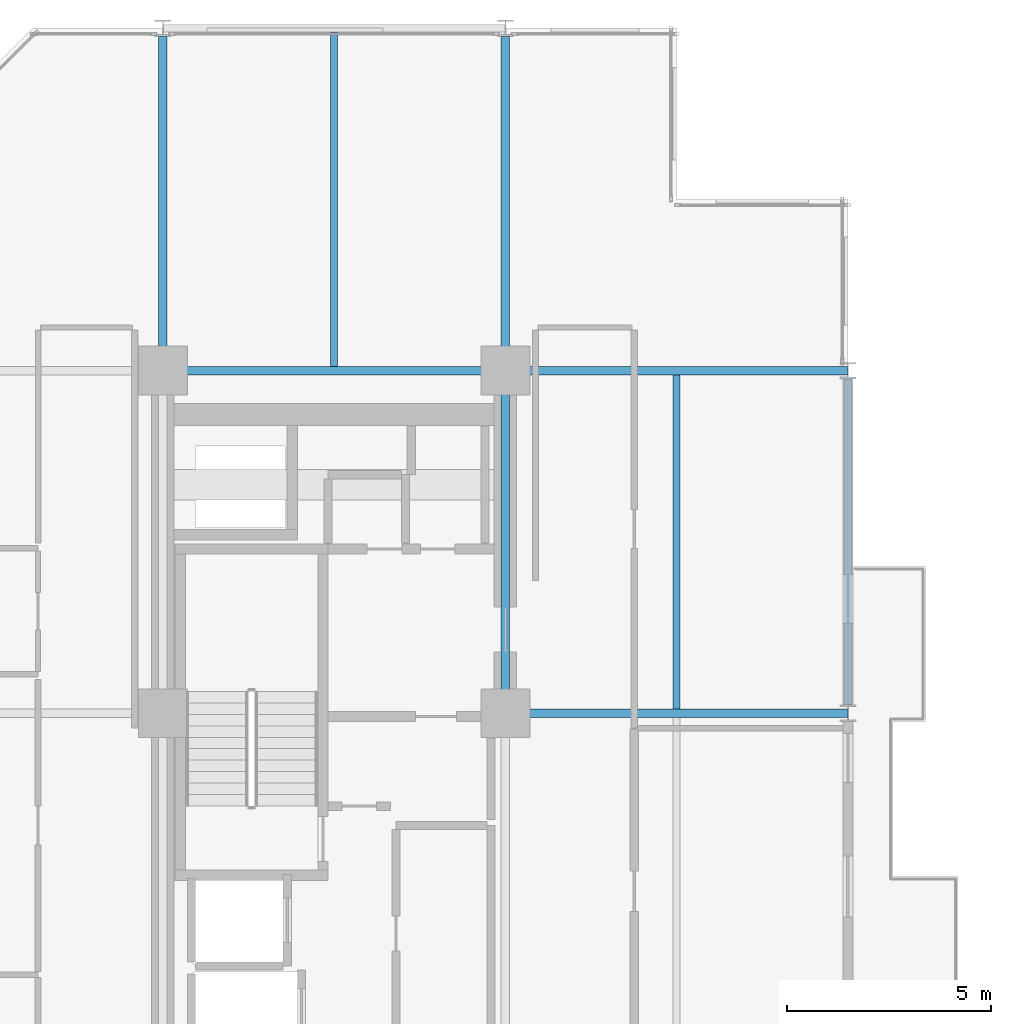
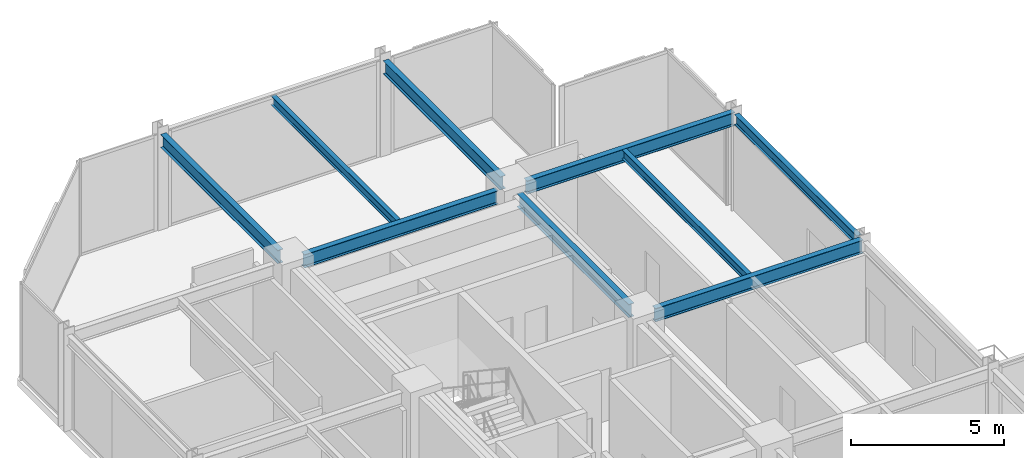
# One storey, part 19 of 29: 9 beams.
"""IFC4 building model written with IfcOpenShell, lengths in metres."""

from ifc_helpers import new_model, si_unit, direction, frame, origin, origin_2d, place, context, subcontext, project, spatial, i_section, extrude, material, material_profile, profile_set, type_object, element, save


model = new_model("IFC4")

# Units and contexts
model_context = context("Model", 3, precision=1e-05, world=origin(), true_north=direction((0.0, 1.0)))
body_context = subcontext(model_context, "Body", "Model", "MODEL_VIEW")
ifc_project = project(units=[si_unit("LENGTHUNIT", "METRE"), si_unit("AREAUNIT", "SQUARE_METRE"), si_unit("VOLUMEUNIT", "CUBIC_METRE"), si_unit("PLANEANGLEUNIT", "RADIAN"), si_unit("MASSUNIT", "GRAM", prefix="KILO")], contexts=[model_context])

# Site, building, storey
site_placement = place(None, origin())
site = spatial("IfcSite", under=ifc_project, at=site_placement, CompositionType="ELEMENT")
building_placement = place(site_placement, origin())
building = spatial("IfcBuilding", under=site, at=building_placement, Name="Nerrivon Quay Data Exchange", CompositionType="ELEMENT")
storey_placement = place(building_placement, frame((0.0, 0.0, 137.699951171875)))
storey = spatial("IfcBuildingStorey", under=building, at=storey_placement, Name="L32", CompositionType="ELEMENT", Elevation=137.699951171875)

# Beams
ifc_material = material(Name="Steel Grade 350", Category="steel")
ifc_material_profile_1 = material_profile(ifc_material, i_section(OverallWidth=0.208984375, OverallDepth=0.532958984375, WebThickness=0.01025390625, FlangeThickness=0.015625, FilletRadius=0.013916015625, at=origin_2d()), Name="530UB92.4")
ifc_profile_set_1 = profile_set([ifc_material_profile_1], Name="Steel Grade 350")
beam_type_1 = type_object("IfcBeamType", Name="BM-G3-530UB92", PredefinedType="BEAM", material=ifc_profile_set_1)
beam_1_placement = place(storey_placement, frame((17.340087890625, 33.60009765625, 3.55859375), z_axis=(1.0, 0.0, 0.0), x_axis=(0.0, 1.0, 0.0)))
element("IfcBeam", 1, at=beam_1_placement, inside=storey, type_object=beam_type_1, Name="L32 EW Girder Y=33.6 (16.8..25.2)", PredefinedType="BEAM", context=body_context, shape_type="SweptSolid", body=[
    extrude(i_section(OverallWidth=0.208984375, OverallDepth=0.532958984375, WebThickness=0.01025390625, FlangeThickness=0.015625, FilletRadius=0.013916015625, at=origin_2d()), origin(), (0.0, 0.0, 1.0), 7.847412109375),
])
beam_2_placement = place(storey_placement, frame((8.93994140625, 42.0, 3.55859375), z_axis=(1.0, 0.0, 0.0), x_axis=(0.0, 1.0, 0.0)))
element("IfcBeam", 2, at=beam_2_placement, inside=storey, type_object=beam_type_1, Name="L32 EW Girder Y=42.0 (8.4..16.8)", PredefinedType="BEAM", context=body_context, shape_type="SweptSolid", body=[
    extrude(i_section(OverallWidth=0.208984375, OverallDepth=0.532958984375, WebThickness=0.01025390625, FlangeThickness=0.015625, FilletRadius=0.013916015625, at=origin_2d()), origin(), (0.0, 0.0, 1.0), 7.320068359375),
])
beam_3_placement = place(storey_placement, frame((17.340087890625, 42.0, 3.55859375), z_axis=(1.0, 0.0, 0.0), x_axis=(0.0, 1.0, 0.0)))
element("IfcBeam", 3, at=beam_3_placement, inside=storey, type_object=beam_type_1, Name="L32 EW Girder Y=42.0 (16.8..25.2)", PredefinedType="BEAM", context=body_context, shape_type="SweptSolid", body=[
    extrude(i_section(OverallWidth=0.208984375, OverallDepth=0.532958984375, WebThickness=0.01025390625, FlangeThickness=0.015625, FilletRadius=0.013916015625, at=origin_2d()), origin(), (0.0, 0.0, 1.0), 7.847412109375),
])
ifc_material_profile_2 = material_profile(ifc_material, i_section(OverallWidth=0.208984375, OverallDepth=0.528076171875, WebThickness=0.009521484375, FlangeThickness=0.01318359375, FilletRadius=0.013916015625, at=origin_2d()), Name="530UB82.0")
ifc_profile_set_2 = profile_set([ifc_material_profile_2], Name="Steel Grade 350")
beam_type_2 = type_object("IfcBeamType", Name="BM-G4-530UB82", PredefinedType="BEAM", material=ifc_profile_set_2)
beam_4_placement = place(storey_placement, frame((8.39990234375, 42.5400390625, 3.56103515625), z_axis=(0.0, 1.0, 0.0), x_axis=(-1.0, 0.0, 0.0)))
element("IfcBeam", 4, at=beam_4_placement, inside=storey, type_object=beam_type_2, Name="L32 NS Girder X=8.4 (42.0..50.4)", PredefinedType="BEAM", context=body_context, shape_type="SweptSolid", body=[
    extrude(i_section(OverallWidth=0.208984375, OverallDepth=0.528076171875, WebThickness=0.009521484375, FlangeThickness=0.01318359375, FilletRadius=0.013916015625, at=origin_2d()), origin(), (0.0, 0.0, 1.0), 7.659912109375),
])
beam_5_placement = place(storey_placement, frame((16.800048828125, 34.139892578125, 3.56103515625), z_axis=(0.0, 1.0, 0.0), x_axis=(-1.0, 0.0, 0.0)))
element("IfcBeam", 5, at=beam_5_placement, inside=storey, type_object=beam_type_2, Name="L32 NS Girder X=16.8 (33.6..42.0)", PredefinedType="BEAM", context=body_context, shape_type="SweptSolid", body=[
    extrude(i_section(OverallWidth=0.208984375, OverallDepth=0.528076171875, WebThickness=0.009521484375, FlangeThickness=0.01318359375, FilletRadius=0.013916015625, at=origin_2d()), origin(), (0.0, 0.0, 1.0), 7.320068359375),
])
beam_6_placement = place(storey_placement, frame((16.800048828125, 42.5400390625, 3.56103515625), z_axis=(0.0, 1.0, 0.0), x_axis=(-1.0, 0.0, 0.0)))
element("IfcBeam", 6, at=beam_6_placement, inside=storey, type_object=beam_type_2, Name="L32 NS Girder X=16.8 (42.0..50.4)", PredefinedType="BEAM", context=body_context, shape_type="SweptSolid", body=[
    extrude(i_section(OverallWidth=0.208984375, OverallDepth=0.528076171875, WebThickness=0.009521484375, FlangeThickness=0.01318359375, FilletRadius=0.013916015625, at=origin_2d()), origin(), (0.0, 0.0, 1.0), 7.659912109375),
])
ifc_material_profile_3 = material_profile(ifc_material, i_section(OverallWidth=0.1708984375, OverallDepth=0.35595703125, WebThickness=0.00732421875, FlangeThickness=0.011474609375, FilletRadius=0.011474609375, at=origin_2d()), Name="360UB50.7")
ifc_profile_set_3 = profile_set([ifc_material_profile_3], Name="Steel Grade 350")
beam_type_3 = type_object("IfcBeamType", Name="BM-J4-360UB51", PredefinedType="JOIST", material=ifc_profile_set_3)
beam_7_placement = place(storey_placement, frame((12.60009765625, 42.1044921875, 3.64697265625), z_axis=(0.0, 1.0, 0.0), x_axis=(-1.0, 0.0, 0.0)))
element("IfcBeam", 7, at=beam_7_placement, inside=storey, type_object=beam_type_3, Name="L32 Secondary Joist X=12.6 (42.0..50.4)", PredefinedType="JOIST", context=body_context, shape_type="SweptSolid", body=[
    extrude(i_section(OverallWidth=0.1708984375, OverallDepth=0.35595703125, WebThickness=0.00732421875, FlangeThickness=0.011474609375, FilletRadius=0.011474609375, at=origin_2d()), origin(), (0.0, 0.0, 1.0), 8.20654296875),
])
beam_8_placement = place(storey_placement, frame((21.0, 33.70458984375, 3.64697265625), z_axis=(0.0, 1.0, 0.0), x_axis=(-1.0, 0.0, 0.0)))
element("IfcBeam", 8, at=beam_8_placement, inside=storey, type_object=beam_type_3, Name="L32 Secondary Joist X=21.0 (33.6..42.0)", PredefinedType="JOIST", context=body_context, shape_type="SweptSolid", body=[
    extrude(i_section(OverallWidth=0.1708984375, OverallDepth=0.35595703125, WebThickness=0.00732421875, FlangeThickness=0.011474609375, FilletRadius=0.011474609375, at=origin_2d()), origin(), (0.0, 0.0, 1.0), 8.19091796875),
])
ifc_material_profile_4 = material_profile(ifc_material, i_section(OverallWidth=0.177978515625, OverallDepth=0.403076171875, WebThickness=0.007568359375, FlangeThickness=0.010986328125, FilletRadius=0.011474609375, at=origin_2d()), Name="410UB53.7")
ifc_profile_set_4 = profile_set([ifc_material_profile_4], Name="Steel Grade 350")
beam_type_4 = type_object("IfcBeamType", Name="BM-SP2-410UB54", PredefinedType="SPANDREL", material=ifc_profile_set_4)
beam_9_placement = place(storey_placement, frame((25.199951171875, 33.800048828125, 3.62353515625), z_axis=(0.0, 1.0, 0.0), x_axis=(-1.0, 0.0, 0.0)))
element("IfcBeam", 9, at=beam_9_placement, inside=storey, type_object=beam_type_4, Name="L32 NS Girder X=25.2 (33.6..42.0)", PredefinedType="SPANDREL", context=body_context, shape_type="SweptSolid", body=[
    extrude(i_section(OverallWidth=0.177978515625, OverallDepth=0.403076171875, WebThickness=0.007568359375, FlangeThickness=0.010986328125, FilletRadius=0.011474609375, at=origin_2d()), origin(), (0.0, 0.0, 1.0), 8.0),
])

save(model, "model.ifc")
